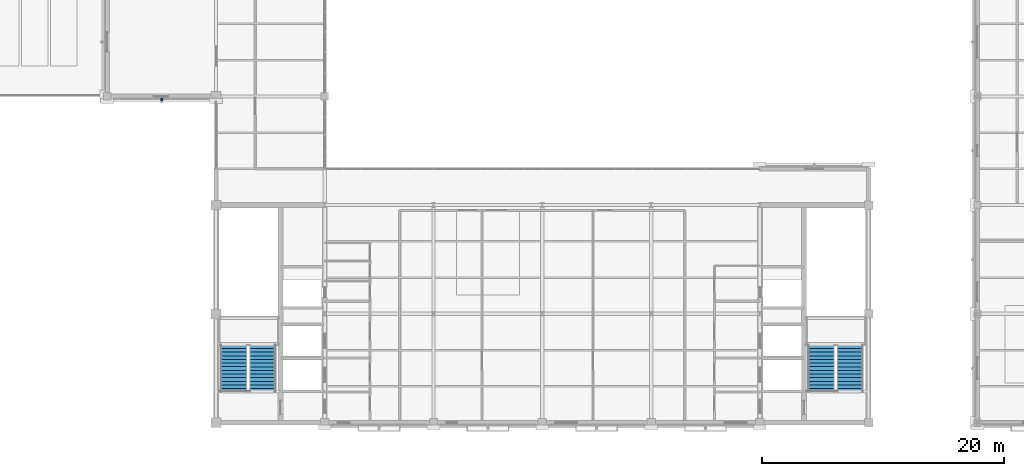
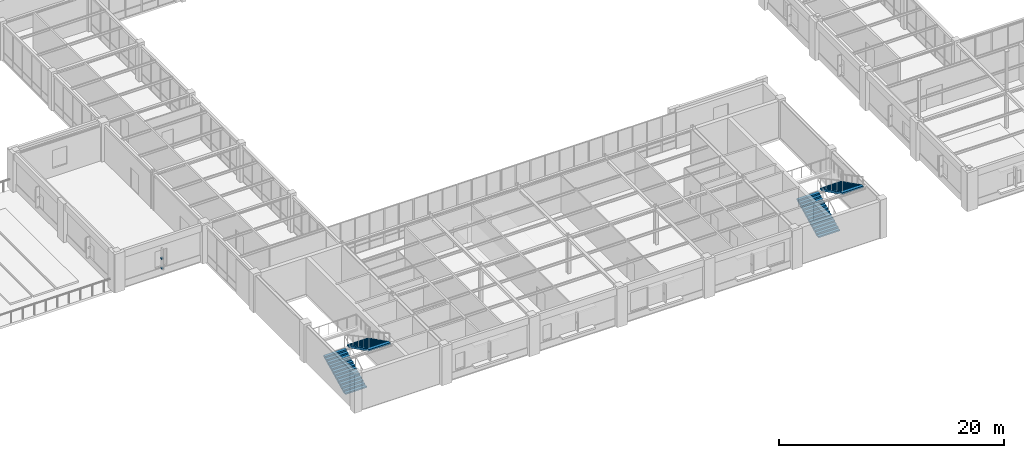
# One storey, part 86 of 97: 4 stair flights, 2 discrete accessories, 2 elements without a shape of their own.
"""IFC4 building model written with IfcOpenShell, lengths in metres."""

from ifc_helpers import new_model, si_unit, direction, frame, origin, origin_2d, place, context, subcontext, project, spatial, polyline, rectangle, outline, extrude, material, layer, layer_set, type_object, element, aggregate, save


model = new_model("IFC4")

# Units and contexts
model_context = context("Model", 3, precision=1e-05, world=origin(), true_north=direction((0.0, 1.0)))
body_context = subcontext(model_context, "Body", "Model", "MODEL_VIEW")
ifc_project = project(units=[si_unit("LENGTHUNIT", "METRE"), si_unit("AREAUNIT", "SQUARE_METRE"), si_unit("VOLUMEUNIT", "CUBIC_METRE"), si_unit("PLANEANGLEUNIT", "RADIAN"), si_unit("MASSUNIT", "GRAM", prefix="KILO")], contexts=[model_context])

# Site, building, storey
site_placement = place(None, origin())
site = spatial("IfcSite", under=ifc_project, at=site_placement, CompositionType="ELEMENT")
building_placement = place(site_placement, origin())
building = spatial("IfcBuilding", under=site, at=building_placement, Name="Lykobir Media Centre", CompositionType="ELEMENT")
storey_placement = place(building_placement, frame((0.0, 0.0, 23.39990234375)))
storey = spatial("IfcBuildingStorey", under=building, at=storey_placement, Name="L05", CompositionType="ELEMENT", Elevation=23.39990234375)

# Stair, stair flights
ifc_material_1 = material(Name="Concrete C30/37", Category="concrete")
stair_type = type_object("IfcStairType", Name="ST-HT-420", PredefinedType="HALF_TURN_STAIR", material=ifc_material_1)
stair_1_placement = place(storey_placement, origin())
stair_1 = element("IfcStair", 1, at=stair_1_placement, inside=storey, type_object=stair_type, Name="Escape stair ST-1 L05", PredefinedType="HALF_TURN_STAIR")
ifc_layer = layer(ifc_material_1, 0.14990234375, Name="Concrete C30/37")
ifc_layer_set = layer_set([ifc_layer], Name="Concrete C30/37")
stair_flight_type = type_object("IfcStairFlightType", Name="FL-220-14", PredefinedType="STRAIGHT", material=ifc_layer_set)
stair_flight_1_placement = place(storey_placement, frame((28.469970703125, 2.530029296875, 0.0), z_axis=(0.0, 0.0, 1.0), x_axis=(0.0, 1.0, 0.0)))
stair_flight_1 = element("IfcStairFlight", 2, at=stair_flight_1_placement, type_object=stair_flight_type, Name="ST-1-L05 flight 1", NumberOfRisers=14, NumberOfTreads=13, PredefinedType="STRAIGHT", RiserHeight=0.15, TreadLength=0.3, context=body_context, shape_type="SweptSolid", body=[
    extrude(outline(polyline([(0.0, 0.0), (0.0, 0.14990234375), (0.300048828125, 0.14990234375), (0.300048828125, 0.300048828125), (0.60009765625, 0.300048828125), (0.60009765625, 0.449951171875), (0.89990234375, 0.449951171875), (0.89990234375, 0.60009765625), (1.199951171875, 0.60009765625), (1.199951171875, 0.75), (1.5, 0.75), (1.5, 0.89990234375), (1.800048828125, 0.89990234375), (1.800048828125, 1.050048828125), (2.10009765625, 1.050048828125), (2.10009765625, 1.199951171875), (2.39990234375, 1.199951171875), (2.39990234375, 1.35009765625), (2.699951171875, 1.35009765625), (2.699951171875, 1.5), (3.0, 1.5), (3.0, 1.64990234375), (3.300048828125, 1.64990234375), (3.300048828125, 1.800048828125), (3.60009765625, 1.800048828125), (3.60009765625, 1.949951171875), (3.89990234375, 1.949951171875), (3.89990234375, 2.10009765625), (3.89990234375, 1.771240234375), (0.357666015625, 0.0), (0.0, 0.0)])), frame((0.0, 1.10009765625, 0.0), z_axis=(0.0, -1.0, 0.0), x_axis=(1.0, 0.0, 0.0)), (0.0, 0.0, 1.0), 2.199951171875),
])
stair_flight_2_placement = place(storey_placement, frame((30.8701171875, 6.429931640625, 2.10009765625), z_axis=(0.0, 0.0, 1.0), x_axis=(0.0, -1.0, 0.0)))
stair_flight_2 = element("IfcStairFlight", 3, at=stair_flight_2_placement, type_object=stair_flight_type, Name="ST-1-L05 flight 2", NumberOfRisers=14, NumberOfTreads=13, PredefinedType="STRAIGHT", RiserHeight=0.15, TreadLength=0.3, context=body_context, shape_type="SweptSolid", body=[
    extrude(outline(polyline([(0.0, 0.0), (0.0, 0.14990234375), (0.300048828125, 0.14990234375), (0.300048828125, 0.300048828125), (0.60009765625, 0.300048828125), (0.60009765625, 0.449951171875), (0.89990234375, 0.449951171875), (0.89990234375, 0.60009765625), (1.199951171875, 0.60009765625), (1.199951171875, 0.75), (1.5, 0.75), (1.5, 0.89990234375), (1.800048828125, 0.89990234375), (1.800048828125, 1.050048828125), (2.10009765625, 1.050048828125), (2.10009765625, 1.199951171875), (2.39990234375, 1.199951171875), (2.39990234375, 1.35009765625), (2.699951171875, 1.35009765625), (2.699951171875, 1.5), (3.0, 1.5), (3.0, 1.64990234375), (3.300048828125, 1.64990234375), (3.300048828125, 1.800048828125), (3.60009765625, 1.800048828125), (3.60009765625, 1.949951171875), (3.89990234375, 1.949951171875), (3.89990234375, 2.10009765625), (3.89990234375, 1.771240234375), (0.357666015625, 0.0), (0.0, 0.0)])), frame((0.0, 1.10009765625, 0.0), z_axis=(0.0, -1.0, 0.0), x_axis=(1.0, 0.0, 0.0)), (0.0, 0.0, 1.0), 2.199951171875),
])
aggregate(stair_1, [stair_flight_1, stair_flight_2])

stair_2_placement = place(storey_placement, origin())
stair_2 = element("IfcStair", 4, at=stair_2_placement, inside=storey, type_object=stair_type, Name="Escape stair ST-2 L05", PredefinedType="HALF_TURN_STAIR")
stair_flight_3_placement = place(storey_placement, frame((77.070068359375, 2.530029296875, 0.0), z_axis=(0.0, 0.0, 1.0), x_axis=(0.0, 1.0, 0.0)))
stair_flight_3 = element("IfcStairFlight", 5, at=stair_flight_3_placement, type_object=stair_flight_type, Name="ST-2-L05 flight 1", NumberOfRisers=14, NumberOfTreads=13, PredefinedType="STRAIGHT", RiserHeight=0.15, TreadLength=0.3, context=body_context, shape_type="SweptSolid", body=[
    extrude(outline(polyline([(0.0, 0.0), (0.0, 0.14990234375), (0.300048828125, 0.14990234375), (0.300048828125, 0.300048828125), (0.60009765625, 0.300048828125), (0.60009765625, 0.449951171875), (0.89990234375, 0.449951171875), (0.89990234375, 0.60009765625), (1.199951171875, 0.60009765625), (1.199951171875, 0.75), (1.5, 0.75), (1.5, 0.89990234375), (1.800048828125, 0.89990234375), (1.800048828125, 1.050048828125), (2.10009765625, 1.050048828125), (2.10009765625, 1.199951171875), (2.39990234375, 1.199951171875), (2.39990234375, 1.35009765625), (2.699951171875, 1.35009765625), (2.699951171875, 1.5), (3.0, 1.5), (3.0, 1.64990234375), (3.300048828125, 1.64990234375), (3.300048828125, 1.800048828125), (3.60009765625, 1.800048828125), (3.60009765625, 1.949951171875), (3.89990234375, 1.949951171875), (3.89990234375, 2.10009765625), (3.89990234375, 1.771240234375), (0.357666015625, 0.0), (0.0, 0.0)])), frame((0.0, 1.10009765625, 0.0), z_axis=(0.0, -1.0, 0.0), x_axis=(1.0, 0.0, 0.0)), (0.0, 0.0, 1.0), 2.199951171875),
])
stair_flight_4_placement = place(storey_placement, frame((79.469970703125, 6.429931640625, 2.10009765625), z_axis=(0.0, 0.0, 1.0), x_axis=(0.0, -1.0, 0.0)))
stair_flight_4 = element("IfcStairFlight", 6, at=stair_flight_4_placement, type_object=stair_flight_type, Name="ST-2-L05 flight 2", NumberOfRisers=14, NumberOfTreads=13, PredefinedType="STRAIGHT", RiserHeight=0.15, TreadLength=0.3, context=body_context, shape_type="SweptSolid", body=[
    extrude(outline(polyline([(0.0, 0.0), (0.0, 0.14990234375), (0.300048828125, 0.14990234375), (0.300048828125, 0.300048828125), (0.60009765625, 0.300048828125), (0.60009765625, 0.449951171875), (0.89990234375, 0.449951171875), (0.89990234375, 0.60009765625), (1.199951171875, 0.60009765625), (1.199951171875, 0.75), (1.5, 0.75), (1.5, 0.89990234375), (1.800048828125, 0.89990234375), (1.800048828125, 1.050048828125), (2.10009765625, 1.050048828125), (2.10009765625, 1.199951171875), (2.39990234375, 1.199951171875), (2.39990234375, 1.35009765625), (2.699951171875, 1.35009765625), (2.699951171875, 1.5), (3.0, 1.5), (3.0, 1.64990234375), (3.300048828125, 1.64990234375), (3.300048828125, 1.800048828125), (3.60009765625, 1.800048828125), (3.60009765625, 1.949951171875), (3.89990234375, 1.949951171875), (3.89990234375, 2.10009765625), (3.89990234375, 1.771240234375), (0.357666015625, 0.0), (0.0, 0.0)])), frame((0.0, 1.10009765625, 0.0), z_axis=(0.0, -1.0, 0.0), x_axis=(1.0, 0.0, 0.0)), (0.0, 0.0, 1.0), 2.199951171875),
])
aggregate(stair_2, [stair_flight_3, stair_flight_4])

# Discrete accessories
ifc_material_2 = material(Name="Steel S355", Category="steel")
discrete_accessory_type = type_object("IfcDiscreteAccessoryType", Name="ACC-BRK", PredefinedType="BRACKET", material=ifc_material_2)
for number, where, z_axis, x_axis, name in (
    (7, (22.5, 26.739990234375, 0.7001953125), (0.0, 0.0, 1.0), (1.0, 0.0, 0.0), "Cumba corbel bracket 209"),
    (8, (22.5, 26.739990234375, 1.77001953125), (0.0, 0.0, 1.0), (1.0, 0.0, 0.0), "Shading fin bracket 210"),
):
    element("IfcDiscreteAccessory", number, at=place(storey_placement, frame(where, z_axis=z_axis, x_axis=x_axis)), inside=storey, type_object=discrete_accessory_type, Name=name, PredefinedType="BRACKET", context=body_context, shape_type="SweptSolid", body=[
        extrude(rectangle(XDim=0.159912109375, YDim=0.219970703125, at=origin_2d()), origin(), (0.0, 0.0, 1.0), 0.159912109375),
    ])

save(model, "model.ifc")
